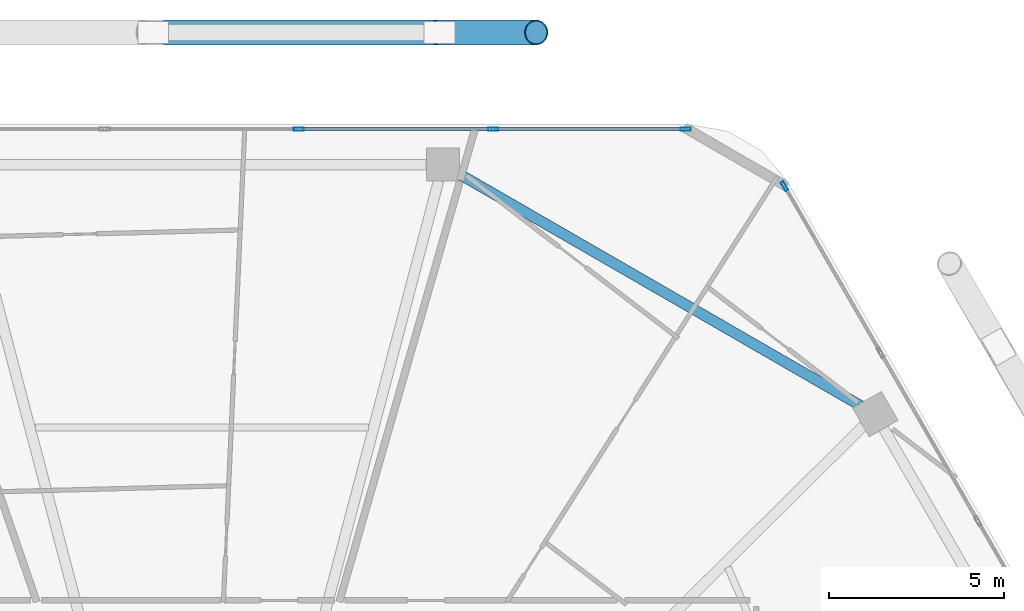
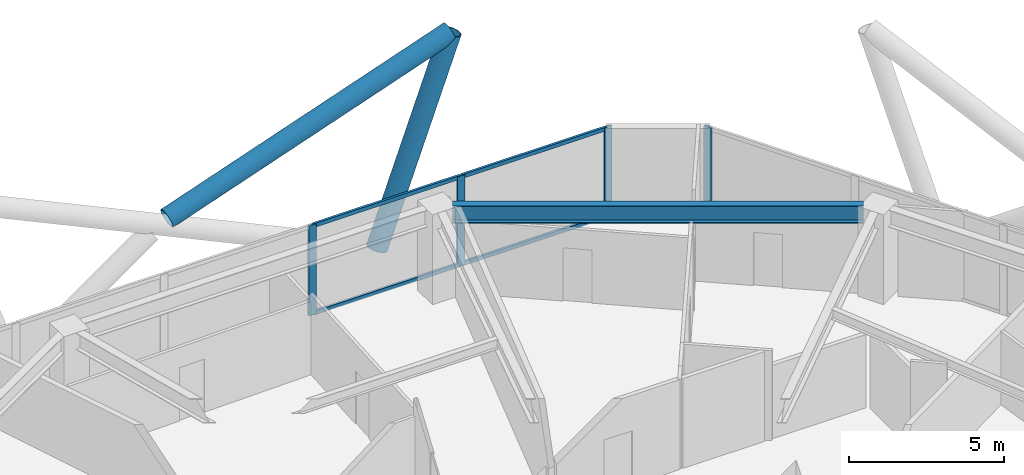
# One storey, part 17 of 28: 10 members, 1 beam, 2 elements without a shape of their own.
"""IFC4 building model written with IfcOpenShell, lengths in metres."""

from ifc_helpers import new_model, si_unit, direction, frame, origin, origin_2d, place, context, subcontext, project, spatial, hollow_rectangle, hollow_circle, i_section, extrude, material, material_profile, profile_set, type_object, element, aggregate, save


model = new_model("IFC4")

# Units and contexts
model_context = context("Model", 3, precision=1e-05, world=origin(), true_north=direction((0.0, 1.0)))
body_context = subcontext(model_context, "Body", "Model", "MODEL_VIEW")
ifc_project = project(units=[si_unit("LENGTHUNIT", "METRE"), si_unit("AREAUNIT", "SQUARE_METRE"), si_unit("VOLUMEUNIT", "CUBIC_METRE"), si_unit("PLANEANGLEUNIT", "RADIAN"), si_unit("MASSUNIT", "GRAM", prefix="KILO")], contexts=[model_context])

# Site, building, storey
site_placement = place(None, origin())
site = spatial("IfcSite", under=ifc_project, at=site_placement, CompositionType="ELEMENT")
building_placement = place(site_placement, origin())
building = spatial("IfcBuilding", under=site, at=building_placement, Name="Zuhravey Tower", CompositionType="ELEMENT")
storey_placement = place(building_placement, frame((0.0, 0.0, 199.800048828125)))
storey = spatial("IfcBuildingStorey", under=building, at=storey_placement, Name="L50", CompositionType="ELEMENT", Elevation=199.800048828125)

# Curtain wall, members
ifc_material_1 = material(Name="Thermally broken anodised aluminium", Category="aluminium")
curtain_wall_type = type_object("IfcCurtainWallType", Name="Zone 1-2 Residential Curtain Wall CW3", PredefinedType="NOTDEFINED", material=ifc_material_1)
curtain_wall_1_placement = place(storey_placement, origin())
curtain_wall_1 = element("IfcCurtainWall", 1, at=curtain_wall_1_placement, inside=storey, type_object=curtain_wall_type, Name="L50 CW3 CW-L50-F2-1", PredefinedType="NOTDEFINED")
ifc_material_2 = material(Name="Anodised aluminium", Category="aluminium")
ifc_material_profile_1 = material_profile(ifc_material_2, hollow_rectangle(XDim=0.090087890625, YDim=0.284912109375, WallThickness=0.0048828125, at=origin_2d()), Name="ALU-RHS-90x285x5")
ifc_profile_set_1 = profile_set([ifc_material_profile_1], Name="Anodised aluminium")
member_type_1 = type_object("IfcMemberType", Name="Curtain-Wall Mullion 90x180", PredefinedType="MULLION", material=ifc_profile_set_1)
member_1_placement = place(storey_placement, frame((38.772216796875, 59.18310546875, 0.0), z_axis=(0.0, 0.0, 1.0), x_axis=(0.0, 1.0, 0.0)))
member_1 = element("IfcMember", 2, at=member_1_placement, type_object=member_type_1, Name="CW3 mullion 4", PredefinedType="MULLION", context=body_context, shape_type="SweptSolid", body=[
    extrude(hollow_rectangle(XDim=0.090087890625, YDim=0.284912109375, WallThickness=0.0048828125, at=origin_2d()), origin(), (0.0, 0.0, 1.0), 3.550048828125),
])
member_2_placement = place(storey_placement, frame((44.316650390625, 59.18310546875, 0.0), z_axis=(0.0, 0.0, 1.0), x_axis=(0.0, 1.0, 0.0)))
member_2 = element("IfcMember", 3, at=member_2_placement, type_object=member_type_1, Name="CW3 mullion 5", PredefinedType="MULLION", context=body_context, shape_type="SweptSolid", body=[
    extrude(hollow_rectangle(XDim=0.090087890625, YDim=0.284912109375, WallThickness=0.0048828125, at=origin_2d()), origin(), (0.0, 0.0, 1.0), 3.550048828125),
])
member_3_placement = place(storey_placement, frame((49.816162109375, 59.18310546875, 0.0), z_axis=(0.0, 0.0, 1.0), x_axis=(0.0, 1.0, 0.0)))
member_3 = element("IfcMember", 4, at=member_3_placement, type_object=member_type_1, Name="CW3 mullion 6", PredefinedType="MULLION", context=body_context, shape_type="SweptSolid", body=[
    extrude(hollow_rectangle(XDim=0.090087890625, YDim=0.284912109375, WallThickness=0.0048828125, at=origin_2d()), origin(), (0.0, 0.0, 1.0), 3.550048828125),
])

# Curtain wall, member
curtain_wall_2_placement = place(storey_placement, origin())
curtain_wall_2 = element("IfcCurtainWall", 5, at=curtain_wall_2_placement, inside=storey, type_object=curtain_wall_type, Name="L50 CW3 CW-L50-F1-1", PredefinedType="NOTDEFINED")
member_4_placement = place(storey_placement, frame((52.63330078125, 57.556640625, 0.0), z_axis=(0.0, 0.0, 1.0), x_axis=(0.866025138215, 0.500000459979, 0.0)))
member_4 = element("IfcMember", 6, at=member_4_placement, type_object=member_type_1, Name="CW3 mullion 1", PredefinedType="MULLION", context=body_context, shape_type="SweptSolid", body=[
    extrude(hollow_rectangle(XDim=0.090087890625, YDim=0.284912109375, WallThickness=0.0048828125, at=origin_2d()), origin(), (0.0, 0.0, 1.0), 3.550048828125),
])
aggregate(curtain_wall_2, [member_4])

# Member
ifc_material_profile_2 = material_profile(ifc_material_2, hollow_rectangle(XDim=0.090087890625, YDim=0.14990234375, WallThickness=0.0048828125, at=origin_2d()), Name="ALU-RHS-90x150x5")
ifc_profile_set_2 = profile_set([ifc_material_profile_2], Name="Anodised aluminium")
member_type_2 = type_object("IfcMemberType", Name="Curtain-Wall Transom 90x150", PredefinedType="USERDEFINED", material=ifc_profile_set_2)
member_5_placement = place(storey_placement, frame((38.817138671875, 59.18310546875, 0.044921875), z_axis=(1.0, 0.0, 0.0), x_axis=(0.0, 1.0, 0.0)))
member_5 = element("IfcMember", 7, at=member_5_placement, type_object=member_type_2, Name="CW3 transom 4.1", ObjectType="TRANSOM", PredefinedType="USERDEFINED", context=body_context, shape_type="SweptSolid", body=[
    extrude(hollow_rectangle(XDim=0.090087890625, YDim=0.14990234375, WallThickness=0.0048828125, at=origin_2d()), origin(), (0.0, 0.0, 1.0), 5.45458984375),
])

member_6_placement = place(storey_placement, frame((38.817138671875, 59.18310546875, 3.5048828125), z_axis=(1.0, 0.0, 0.0), x_axis=(0.0, 1.0, 0.0)))
member_6 = element("IfcMember", 8, at=member_6_placement, type_object=member_type_2, Name="CW3 transom 4.2", ObjectType="TRANSOM", PredefinedType="USERDEFINED", context=body_context, shape_type="SweptSolid", body=[
    extrude(hollow_rectangle(XDim=0.090087890625, YDim=0.14990234375, WallThickness=0.0048828125, at=origin_2d()), origin(), (0.0, 0.0, 1.0), 5.45458984375),
])

member_7_placement = place(storey_placement, frame((44.361572265625, 59.18310546875, 0.044921875), z_axis=(1.0, 0.0, 0.0), x_axis=(0.0, 1.0, 0.0)))
member_7 = element("IfcMember", 9, at=member_7_placement, type_object=member_type_2, Name="CW3 transom 5.1", ObjectType="TRANSOM", PredefinedType="USERDEFINED", context=body_context, shape_type="SweptSolid", body=[
    extrude(hollow_rectangle(XDim=0.090087890625, YDim=0.14990234375, WallThickness=0.0048828125, at=origin_2d()), origin(), (0.0, 0.0, 1.0), 5.409423828125),
])

member_8_placement = place(storey_placement, frame((44.361572265625, 59.18310546875, 3.5048828125), z_axis=(1.0, 0.0, 0.0), x_axis=(0.0, 1.0, 0.0)))
member_8 = element("IfcMember", 10, at=member_8_placement, type_object=member_type_2, Name="CW3 transom 5.2", ObjectType="TRANSOM", PredefinedType="USERDEFINED", context=body_context, shape_type="SweptSolid", body=[
    extrude(hollow_rectangle(XDim=0.090087890625, YDim=0.14990234375, WallThickness=0.0048828125, at=origin_2d()), origin(), (0.0, 0.0, 1.0), 5.409423828125),
])

aggregate(curtain_wall_1, [member_1, member_2, member_3, member_5, member_6, member_7, member_8])

# Members
ifc_material_3 = material(Name="Steel SM460", Category="steel")
ifc_material_profile_3 = material_profile(ifc_material_3, hollow_circle(Radius=0.355712890625, WallThickness=0.031982421875, at=origin_2d()), Name="CHS-711.2x32")
ifc_profile_set_3 = profile_set([ifc_material_profile_3], Name="Steel SM460")
member_type_3 = type_object("IfcMemberType", Name="Exoskeleton Zone 2 Diagrid CHS711x32", PredefinedType="BRACE", material=ifc_profile_set_3)
member_9_placement = place(storey_placement, frame((42.788330078125, 61.943115234375, -0.444091796875), z_axis=(0.342858392965, 0.0, 0.939387099323), x_axis=(0.0, 1.0, 0.0)))
element("IfcMember", 11, at=member_9_placement, inside=storey, type_object=member_type_3, Name="L50 Face 2 Diagrid Brace 1", PredefinedType="BRACE", context=body_context, shape_type="SweptSolid", body=[
    extrude(hollow_circle(Radius=0.355712890625, WallThickness=0.031982421875, at=origin_2d()), origin(), (0.0, 0.0, 1.0), 8.0478515625),
])
member_10_placement = place(storey_placement, frame((34.939453125, 61.943115234375, 3.44921875), z_axis=(0.944653568891, 0.0, 0.328069557841), x_axis=(0.0, 1.0, 0.0)))
element("IfcMember", 12, at=member_10_placement, inside=storey, type_object=member_type_3, Name="L50 Face 2 Split Diagrid Brace 3B", PredefinedType="BRACE", context=body_context, shape_type="SweptSolid", body=[
    extrude(hollow_circle(Radius=0.355712890625, WallThickness=0.031982421875, at=origin_2d()), origin(), (0.0, 0.0, 1.0), 11.190185546875),
])

# Beam
ifc_material_4 = material(Name="Steel SM355", Category="steel")
ifc_material_profile_4 = material_profile(ifc_material_4, i_section(OverallWidth=0.300048828125, OverallDepth=0.679931640625, WebThickness=0.012939453125, FlangeThickness=0.02197265625, at=origin_2d()), Name="H-680x300x13x22")
ifc_profile_set_4 = profile_set([ifc_material_profile_4], Name="Steel SM355")
beam_type = type_object("IfcBeamType", Name="Perimeter Ring Beam H680x300", PredefinedType="BEAM", material=ifc_profile_set_4)
beam_placement = place(storey_placement, frame((54.8115234375, 51.28564453125, 3.2099609375), z_axis=(-0.866029041019, 0.499993700073, 0.0), x_axis=(-0.499993700073, -0.866029041019, 0.0)))
element("IfcBeam", 13, at=beam_placement, inside=storey, type_object=beam_type, Name="L50 PB2 BM-L50-PB-02", PredefinedType="BEAM", context=body_context, shape_type="SweptSolid", body=[
    extrude(i_section(OverallWidth=0.300048828125, OverallDepth=0.679931640625, WebThickness=0.012939453125, FlangeThickness=0.02197265625, at=origin_2d()), origin(), (0.0, 0.0, 1.0), 13.297119140625),
])

save(model, "model.ifc")
